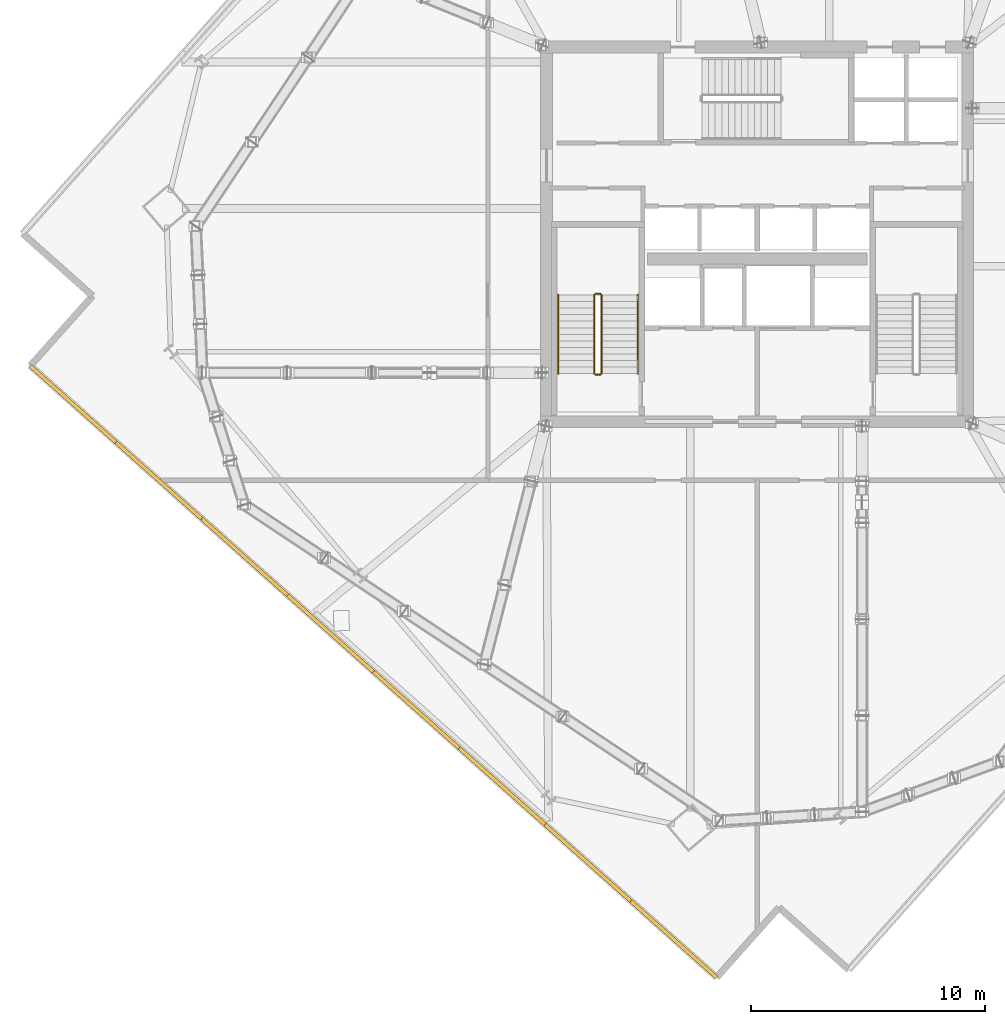
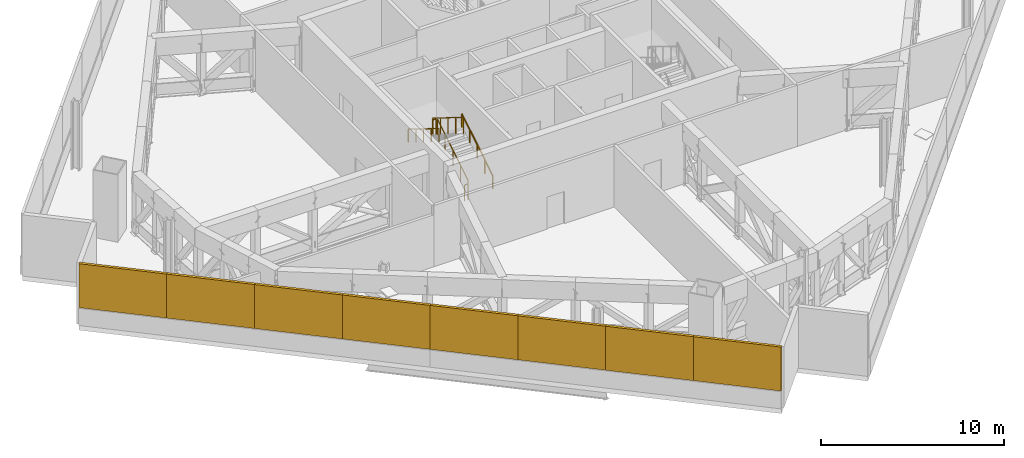
# One storey, part 15 of 18: 8 shading devices, 6 railings.
"""IFC4 building model written with IfcOpenShell, lengths in metres."""

from ifc_helpers import new_model, si_unit, direction, frame, origin, origin_2d, place, context, subcontext, project, spatial, rectangle, extrude, source, transform, mapped, material, layer, layer_set, type_object, element, save


model = new_model("IFC4")

# Units and contexts
model_context = context("Model", 3, precision=1e-05, world=origin(), true_north=direction((0.0, 1.0)))
body_context = subcontext(model_context, "Body", "Model", "MODEL_VIEW")
ifc_project = project(units=[si_unit("LENGTHUNIT", "METRE"), si_unit("AREAUNIT", "SQUARE_METRE"), si_unit("VOLUMEUNIT", "CUBIC_METRE"), si_unit("PLANEANGLEUNIT", "RADIAN"), si_unit("MASSUNIT", "GRAM", prefix="KILO")], contexts=[model_context])

# Site, building, storey
site_placement = place(None, origin())
site = spatial("IfcSite", under=ifc_project, at=site_placement, CompositionType="ELEMENT")
building_placement = place(site_placement, origin())
building = spatial("IfcBuilding", under=site, at=building_placement, Name="Haldenkirk Collegiate Tower", CompositionType="ELEMENT")
storey_placement = place(building_placement, frame((0.0, 0.0, 189.449951171875)))
storey = spatial("IfcBuildingStorey", under=building, at=storey_placement, Name="L47", CompositionType="ELEMENT", Elevation=189.449951171875)

# Railings
ifc_material_1 = material(Name="Painted architectural tubular steel", Category="steel")
railing_type_1 = type_object("IfcRailingType", Name="RLG-STAIR-GUARD-1100", PredefinedType="BALUSTRADE", material=ifc_material_1)
railing_1_placement = place(storey_placement, frame((29.35009765625, 20.050048828125, 0.173095703125)))
element("IfcRailing", 1, at=railing_1_placement, inside=storey, type_object=railing_type_1, Name="L47 ST-1 stair guard 1", PredefinedType="BALUSTRADE", context=body_context, shape_type="SweptSolid", body=[
    extrude(rectangle(XDim=0.048095703125, YDim=0.048095703125, at=origin_2d()), frame((0.0, 0.0, 1.076171875), z_axis=(0.0, 0.850606129759, 0.525803396734), x_axis=(-1.0, 0.0, 0.0)), (0.0, 0.0, 1.0), 3.949951171875),
    extrude(rectangle(XDim=0.0419921875, YDim=0.0419921875, at=origin_2d()), origin(), (0.0, 0.0, 1.0), 1.052001953125),
    extrude(rectangle(XDim=0.0419921875, YDim=0.0419921875, at=origin_2d()), frame((0.0, 0.83984375, 0.519287109375)), (0.0, 0.0, 1.0), 1.052001953125),
    extrude(rectangle(XDim=0.0419921875, YDim=0.0419921875, at=origin_2d()), frame((0.0, 1.679931640625, 1.03857421875)), (0.0, 0.0, 1.0), 1.052001953125),
    extrude(rectangle(XDim=0.0419921875, YDim=0.0419921875, at=origin_2d()), frame((0.0, 2.52001953125, 1.5576171875)), (0.0, 0.0, 1.0), 1.052001953125),
    extrude(rectangle(XDim=0.0419921875, YDim=0.0419921875, at=origin_2d()), frame((0.0, 3.35986328125, 2.076904296875)), (0.0, 0.0, 1.0), 1.052001953125),
])
railing_2_placement = place(storey_placement, frame((29.300048828125, 23.4599609375, 2.25)))
element("IfcRailing", 2, at=railing_2_placement, inside=storey, type_object=railing_type_1, Name="L47 ST-1 stair guard 2", PredefinedType="BALUSTRADE", context=body_context, shape_type="SweptSolid", body=[
    extrude(rectangle(XDim=0.048095703125, YDim=0.048095703125, at=origin_2d()), frame((0.0, 0.0, 1.076171875), z_axis=(-1.0, 0.0, 0.0), x_axis=(0.0, -1.0, 0.0)), (0.0, 0.0, 1.0), 0.199951171875),
    extrude(rectangle(XDim=0.0419921875, YDim=0.0419921875, at=origin_2d()), origin(), (0.0, 0.0, 1.0), 1.052001953125),
    extrude(rectangle(XDim=0.0419921875, YDim=0.0419921875, at=origin_2d()), frame((-0.199951171875, 0.0, 0.0)), (0.0, 0.0, 1.0), 1.052001953125),
])
railing_3_placement = place(storey_placement, frame((29.050048828125, 23.409912109375, 2.423095703125)))
element("IfcRailing", 3, at=railing_3_placement, inside=storey, type_object=railing_type_1, Name="L47 ST-1 stair guard 3", PredefinedType="BALUSTRADE", context=body_context, shape_type="SweptSolid", body=[
    extrude(rectangle(XDim=0.048095703125, YDim=0.048095703125, at=origin_2d()), frame((0.0, 0.0, 1.076171875), z_axis=(0.0, -0.850606129759, 0.525803396734), x_axis=(1.0, 0.0, 0.0)), (0.0, 0.0, 1.0), 3.949951171875),
    extrude(rectangle(XDim=0.0419921875, YDim=0.0419921875, at=origin_2d()), origin(), (0.0, 0.0, 1.0), 1.052001953125),
    extrude(rectangle(XDim=0.0419921875, YDim=0.0419921875, at=origin_2d()), frame((0.0, -0.83984375, 0.519287109375)), (0.0, 0.0, 1.0), 1.052001953125),
    extrude(rectangle(XDim=0.0419921875, YDim=0.0419921875, at=origin_2d()), frame((0.0, -1.679931640625, 1.03857421875)), (0.0, 0.0, 1.0), 1.052001953125),
    extrude(rectangle(XDim=0.0419921875, YDim=0.0419921875, at=origin_2d()), frame((0.0, -2.52001953125, 1.5576171875)), (0.0, 0.0, 1.0), 1.052001953125),
    extrude(rectangle(XDim=0.0419921875, YDim=0.0419921875, at=origin_2d()), frame((0.0, -3.35986328125, 2.076904296875)), (0.0, 0.0, 1.0), 1.052001953125),
])
railing_4_placement = place(storey_placement, frame((29.300048828125, 20.0, 0.0)))
element("IfcRailing", 4, at=railing_4_placement, inside=storey, type_object=railing_type_1, Name="L47 ST-1 stair guard 4", PredefinedType="BALUSTRADE", context=body_context, shape_type="SweptSolid", body=[
    extrude(rectangle(XDim=0.048095703125, YDim=0.048095703125, at=origin_2d()), frame((0.0, 0.0, 1.076171875), z_axis=(-1.0, 0.0, 0.0), x_axis=(0.0, -1.0, 0.0)), (0.0, 0.0, 1.0), 0.199951171875),
    extrude(rectangle(XDim=0.0419921875, YDim=0.0419921875, at=origin_2d()), origin(), (0.0, 0.0, 1.0), 1.052001953125),
    extrude(rectangle(XDim=0.0419921875, YDim=0.0419921875, at=origin_2d()), frame((-0.199951171875, 0.0, 0.0)), (0.0, 0.0, 1.0), 1.052001953125),
])
railing_type_2 = type_object("IfcRailingType", Name="RLG-STAIR-HANDRAIL-900", PredefinedType="HANDRAIL", material=ifc_material_1)
railing_5_placement = place(storey_placement, frame((30.89990234375, 20.050048828125, 0.173095703125)))
element("IfcRailing", 5, at=railing_5_placement, inside=storey, type_object=railing_type_2, Name="L47 ST-1 stair handrail 1", PredefinedType="HANDRAIL", context=body_context, shape_type="SweptSolid", body=[
    extrude(rectangle(XDim=0.048095703125, YDim=0.048095703125, at=origin_2d()), frame((0.0, 0.0, 0.8759765625), z_axis=(0.0, 0.850606129759, 0.525803396734), x_axis=(-1.0, 0.0, 0.0)), (0.0, 0.0, 1.0), 3.949951171875),
    extrude(rectangle(XDim=0.0419921875, YDim=0.0419921875, at=origin_2d()), origin(), (0.0, 0.0, 1.0), 0.851806640625),
    extrude(rectangle(XDim=0.0419921875, YDim=0.0419921875, at=origin_2d()), frame((0.0, 0.83984375, 0.519287109375)), (0.0, 0.0, 1.0), 0.851806640625),
    extrude(rectangle(XDim=0.0419921875, YDim=0.0419921875, at=origin_2d()), frame((0.0, 1.679931640625, 1.03857421875)), (0.0, 0.0, 1.0), 0.851806640625),
    extrude(rectangle(XDim=0.0419921875, YDim=0.0419921875, at=origin_2d()), frame((0.0, 2.52001953125, 1.5576171875)), (0.0, 0.0, 1.0), 0.851806640625),
    extrude(rectangle(XDim=0.0419921875, YDim=0.0419921875, at=origin_2d()), frame((0.0, 3.35986328125, 2.076904296875)), (0.0, 0.0, 1.0), 0.851806640625),
])
railing_6_placement = place(storey_placement, frame((27.5, 23.409912109375, 2.423095703125)))
element("IfcRailing", 6, at=railing_6_placement, inside=storey, type_object=railing_type_2, Name="L47 ST-1 stair handrail 2", PredefinedType="HANDRAIL", context=body_context, shape_type="SweptSolid", body=[
    extrude(rectangle(XDim=0.048095703125, YDim=0.048095703125, at=origin_2d()), frame((0.0, 0.0, 0.8759765625), z_axis=(0.0, -0.850606129759, 0.525803396734), x_axis=(1.0, 0.0, 0.0)), (0.0, 0.0, 1.0), 3.949951171875),
    extrude(rectangle(XDim=0.0419921875, YDim=0.0419921875, at=origin_2d()), origin(), (0.0, 0.0, 1.0), 0.851806640625),
    extrude(rectangle(XDim=0.0419921875, YDim=0.0419921875, at=origin_2d()), frame((0.0, -0.83984375, 0.519287109375)), (0.0, 0.0, 1.0), 0.851806640625),
    extrude(rectangle(XDim=0.0419921875, YDim=0.0419921875, at=origin_2d()), frame((0.0, -1.679931640625, 1.03857421875)), (0.0, 0.0, 1.0), 0.851806640625),
    extrude(rectangle(XDim=0.0419921875, YDim=0.0419921875, at=origin_2d()), frame((0.0, -2.52001953125, 1.5576171875)), (0.0, 0.0, 1.0), 0.851806640625),
    extrude(rectangle(XDim=0.0419921875, YDim=0.0419921875, at=origin_2d()), frame((0.0, -3.35986328125, 2.076904296875)), (0.0, 0.0, 1.0), 0.851806640625),
])

# Shading devices
ifc_material_2 = material(Name="Anodised architectural bronze aluminium", Category="aluminium")
ifc_layer = layer(ifc_material_2, 0.139892578125)
ifc_layer_set = layer_set([ifc_layer], Name="Anodised architectural bronze aluminium")
shading_device_type = type_object("IfcShadingDeviceType", Name="SHD-LOUVRE-CROWN", PredefinedType="JALOUSIE", material=ifc_layer_set)
shared_shape = source(origin(), body_context, "Body", "SweptSolid", [
    extrude(rectangle(XDim=4.909423828125, YDim=0.159912109375, at=origin_2d()), origin(), (0.0, 0.0, 1.0), 2.93994140625),
])
for number, where, z_axis, x_axis, name in (
    (7, (32.438232421875, -4.109375, 1.150146484375), (0.0, 0.0, 1.0), (-0.746638182285, 0.665230354654, 0.0), "L47 mechanical intake louvre screen W1"),
    (8, (28.772705078125, -0.843505859375, 1.150146484375), (0.0, 0.0, 1.0), (-0.746638182285, 0.665230354654, 0.0), "L47 mechanical intake louvre screen W2"),
    (9, (25.107421875, 2.422607421875, 1.150146484375), (0.0, 0.0, 1.0), (-0.746638182285, 0.665230354654, 0.0), "L47 mechanical intake louvre screen W3"),
    (10, (21.44189453125, 5.6884765625, 1.150146484375), (0.0, 0.0, 1.0), (-0.746638182285, 0.665230354654, 0.0), "L47 mechanical intake louvre screen W4"),
    (11, (17.776123046875, 8.9541015625, 1.150146484375), (0.0, 0.0, 1.0), (-0.746638182285, 0.665230354654, 0.0), "L47 mechanical intake louvre screen W5"),
    (12, (14.110595703125, 12.22021484375, 1.150146484375), (0.0, 0.0, 1.0), (-0.746638182285, 0.665230354654, 0.0), "L47 mechanical intake louvre screen W6"),
    (13, (10.4453125, 15.486083984375, 1.150146484375), (0.0, 0.0, 1.0), (-0.746638182285, 0.665230354654, 0.0), "L47 mechanical intake louvre screen W7"),
    (14, (6.77978515625, 18.751953125, 1.150146484375), (0.0, 0.0, 1.0), (-0.746638182285, 0.665230354654, 0.0), "L47 mechanical intake louvre screen W8"),
):
    element("IfcShadingDevice", number, at=place(storey_placement, frame(where, z_axis=z_axis, x_axis=x_axis)), inside=storey, type_object=shading_device_type, Name=name, PredefinedType="JALOUSIE", context=body_context, shape_type="MappedRepresentation", body=[
        mapped(shared_shape, transform((0.0, 0.0, 0.0), x_axis=(1.0, 0.0, 0.0), y_axis=(0.0, 1.0, 0.0), z_axis=(0.0, 0.0, 1.0), scale=1.0)),
    ])

save(model, "model.ifc")
